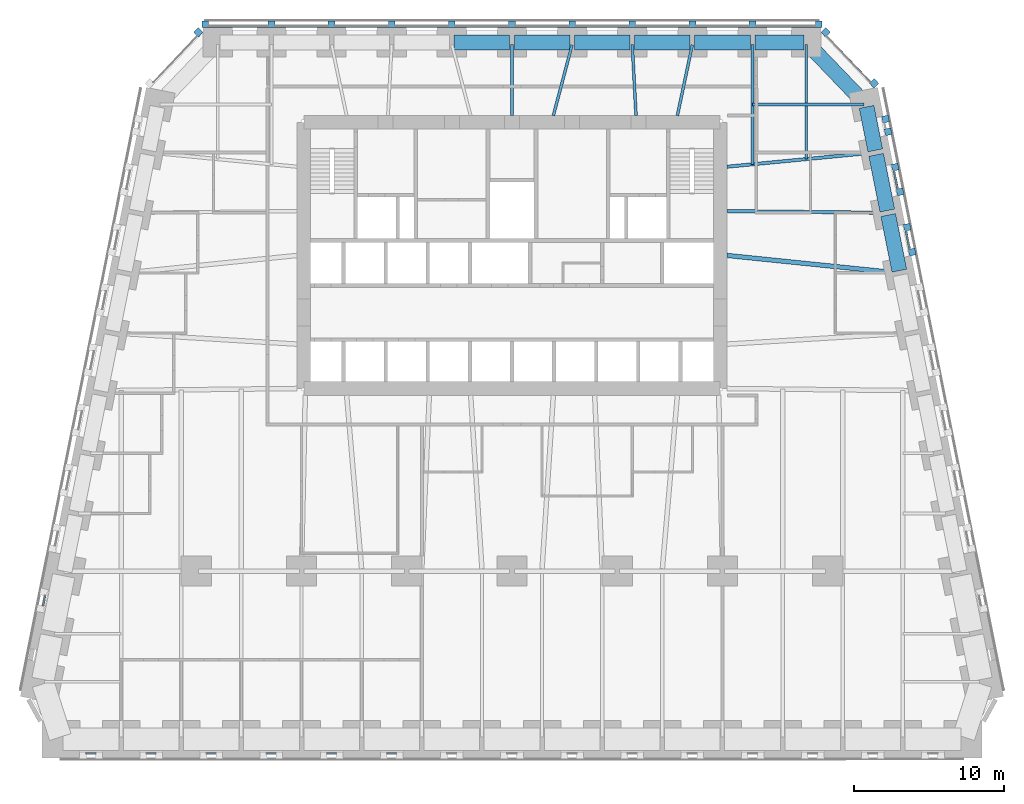
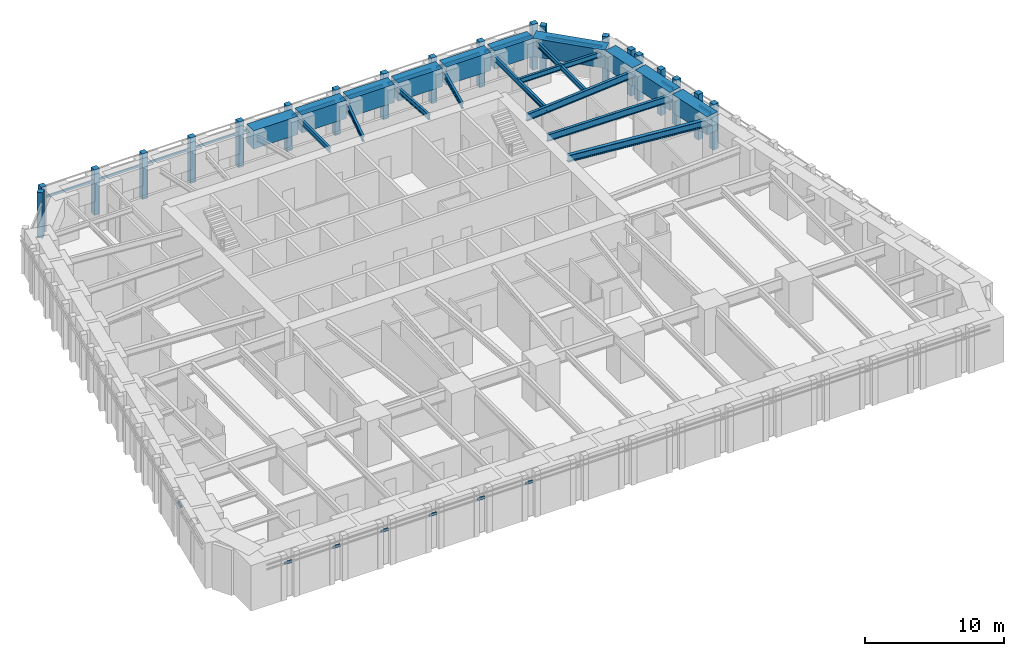
# One storey, part 4 of 16: 40 members, 20 beams, 13 elements without a shape of their own.
"""IFC4 building model written with IfcOpenShell, lengths in metres."""

import ifcopenshell
import ifcopenshell.guid

model = None  # the IFC model being written
_history = None  # IfcOwnerHistory: only IFC2X3 demands one
_inside = {}  # id of a spatial element -> (the spatial element, [elements in it])
_under = {}  # id of a project, library or spatial element -> (it, [spatial elements below it])
_declared = {}  # id of a project -> (the project, [libraries it declares])
_typed = {}  # id of a type object -> (the type object, [elements of that type])
_made_of = {}  # id of a material, layer set ... -> (it, [elements and type objects made of it])


def new_model(schema):
    """Start an empty IFC model of exactly this schema.

    Asked for "IFC4X3", IfcOpenShell would pick the latest addendum, in which some entities
    have other attributes; the version numbers below select the first issue.
    IFC2X3 requires an IfcOwnerHistory on every rooted entity: one is made here for all.
    """
    global model, _history
    if schema == "IFC4X3":
        model = ifcopenshell.file(schema_version=(4, 3, 0, 0))
    else:
        model = ifcopenshell.file(schema=schema)
    _inside.clear()
    _under.clear()
    _declared.clear()
    _typed.clear()
    _made_of.clear()
    _history = None
    if model.schema == "IFC2X3":
        org = make("IfcOrganization", Name="unknown")
        user = make(
            "IfcPersonAndOrganization",
            ThePerson=make("IfcPerson", FamilyName="unknown"),
            TheOrganization=org,
        )
        app = make(
            "IfcApplication",
            ApplicationDeveloper=org,
            Version="unknown",
            ApplicationFullName="unknown",
            ApplicationIdentifier="unknown",
        )
        _history = make(
            "IfcOwnerHistory",
            OwningUser=user,
            OwningApplication=app,
            ChangeAction="ADDED",
            CreationDate=0,
        )
    return model


def make(cls, **values):
    """One entity of the class cls with the attributes given. An attribute that is None is left unset."""
    return model.create_entity(
        cls, **{name: value for name, value in values.items() if value is not None}
    )


def rooted(cls, **values):
    """An entity with a GlobalId (a new one), such as an element, a storey or a relation."""
    return make(cls, GlobalId=ifcopenshell.guid.new(), OwnerHistory=_history, **values)


def si_unit(unit_type, name, prefix=None):
    """IfcSIUnit, for example si_unit("LENGTHUNIT", "METRE", prefix="MILLI")."""
    return make("IfcSIUnit", UnitType=unit_type, Prefix=prefix, Name=name)


def assignment(units):
    """IfcUnitAssignment: the units of a project."""
    return None if units is None else make("IfcUnitAssignment", Units=units)


def point(xyz):
    """IfcCartesianPoint."""
    return None if xyz is None else make("IfcCartesianPoint", Coordinates=xyz)


def direction(xyz):
    """IfcDirection."""
    return None if xyz is None else make("IfcDirection", DirectionRatios=xyz)


def frame(location, z_axis=None, x_axis=None):
    """IfcAxis2Placement3D, a coordinate frame: its origin and axes. An axis left out is left unset."""
    return make(
        "IfcAxis2Placement3D",
        Location=point(location),
        Axis=direction(z_axis),
        RefDirection=direction(x_axis),
    )


def frame_2d(location, x_axis=None):
    """IfcAxis2Placement2D, a coordinate frame in the plane: its origin and x axis."""
    return make(
        "IfcAxis2Placement2D", Location=point(location), RefDirection=direction(x_axis)
    )


def origin():
    """The frame at (0, 0, 0) with its axes left unset."""
    return frame((0.0, 0.0, 0.0))


def origin_2d():
    """The frame at (0, 0) in the plane with its x axis left unset."""
    return frame_2d((0.0, 0.0))


def place(relative_to, where):
    """IfcLocalPlacement: puts the frame where relative to a parent placement (None: the world)."""
    return make(
        "IfcLocalPlacement", PlacementRelTo=relative_to, RelativePlacement=where
    )


def context(
    kind, dimensions, precision=None, world=None, true_north=None, identifier=None
):
    """IfcGeometricRepresentationContext, for example the 3D "Model" context."""
    return make(
        "IfcGeometricRepresentationContext",
        ContextIdentifier=identifier,
        ContextType=kind,
        CoordinateSpaceDimension=dimensions,
        Precision=precision,
        WorldCoordinateSystem=world,
        TrueNorth=true_north,
    )


def subcontext(parent, identifier, kind, view, scale=None):
    """IfcGeometricRepresentationSubContext, for example "Body" below "Model"."""
    return make(
        "IfcGeometricRepresentationSubContext",
        ContextIdentifier=identifier,
        ContextType=kind,
        ParentContext=parent,
        TargetScale=scale,
        TargetView=view,
    )


def project(units=None, contexts=None):
    """IfcProject with its units and contexts."""
    return rooted(
        "IfcProject",
        Name="project",
        RepresentationContexts=contexts,
        UnitsInContext=assignment(units),
    )


def spatial(cls, under=None, at=None, **own):
    """A site, building, storey or space (cls), placed at a placement, below another one or the project."""
    s = rooted(cls, ObjectPlacement=at, **own)
    if under is not None:
        _under.setdefault(under.id(), (under, []))[1].append(s)
    return s


def profile(cls, at=None, kind="AREA", **sizes):
    """A parametric profile (cls). Its sizes go by their IFC names, for example OverallWidth=200.0."""
    return make(cls, ProfileType=kind, Position=at, **sizes)


def rectangle(**sizes):
    """IfcRectangleProfileDef."""
    return profile("IfcRectangleProfileDef", **sizes)


def i_section(**sizes):
    """IfcIShapeProfileDef."""
    return profile("IfcIShapeProfileDef", **sizes)


def extrude(swept, where, along, depth):
    """IfcExtrudedAreaSolid: the profile swept, set in the frame where, extruded along a direction by depth."""
    return make(
        "IfcExtrudedAreaSolid",
        SweptArea=swept,
        Position=where,
        ExtrudedDirection=direction(along),
        Depth=depth,
    )


def shape(context_of_items, identifier, shape_type, items):
    """IfcShapeRepresentation: the items that make up one representation, for example the "Body"."""
    return make(
        "IfcShapeRepresentation",
        ContextOfItems=context_of_items,
        RepresentationIdentifier=identifier,
        RepresentationType=shape_type,
        Items=items,
    )


def material(Name=None, Category=None):
    """IfcMaterial."""
    return make("IfcMaterial", Name=Name, Category=Category)


def material_profile(
    of_material, cross_section, Name=None, Category=None, Priority=None
):
    """IfcMaterialProfile: a cross section and its material."""
    return make(
        "IfcMaterialProfile",
        Name=Name,
        Material=of_material,
        Profile=cross_section,
        Priority=Priority,
        Category=Category,
    )


def profile_set(profiles, Name=None, composite=None):
    """IfcMaterialProfileSet."""
    return make(
        "IfcMaterialProfileSet",
        Name=Name,
        MaterialProfiles=profiles,
        CompositeProfile=composite,
    )


def made_of(thing, what):
    """Note that an element or type object is made of a material, layer set ...; save() writes the relation."""
    if what is not None:
        _made_of.setdefault(what.id(), (what, []))[1].append(thing)
    return thing


def type_object(cls, material=None, **own):
    """A type object (cls), such as IfcWallType, which elements share."""
    return made_of(rooted(cls, **own), material)


def element(
    cls,
    number,
    at=None,
    inside=None,
    cuts=None,
    type_object=None,
    material=None,
    context=None,
    identifier="Body",
    shape_type=None,
    held_by="IfcProductDefinitionShape",
    body=None,
    shapes=None,
    **own,
):
    """One element of the class cls, such as IfcWall. Its Tag is "e" and its number.

    at: its placement. inside: the storey or other place that contains it. cuts: it is an
    opening in that element (IfcRelVoidsElement). A single representation is given by context,
    identifier, shape_type and body (its items); several are given by shapes. held_by: the class
    of the entity that holds the representations. save() writes the other relations.
    """
    e = rooted(cls, Tag="e%d" % number, ObjectPlacement=at, **own)
    if body is not None:
        shapes = [shape(context, identifier, shape_type, body)]
    if shapes is not None:
        e.Representation = make(held_by, Representations=shapes)
    if inside is not None:
        _inside.setdefault(inside.id(), (inside, []))[1].append(e)
    if cuts is not None:
        rooted(
            "IfcRelVoidsElement", RelatingBuildingElement=cuts, RelatedOpeningElement=e
        )
    if type_object is not None:
        _typed.setdefault(type_object.id(), (type_object, []))[1].append(e)
    return made_of(e, material)


def aggregate(whole, parts):
    """IfcRelAggregates: a whole, such as a stair, and the parts it consists of."""
    return rooted("IfcRelAggregates", RelatingObject=whole, RelatedObjects=parts)


def save(model, path):
    """Write the relations noted so far, then the file.

    IfcRelAggregates (storeys below a building ...), IfcRelContainedInSpatialStructure (elements
    in a storey), IfcRelDefinesByType, IfcRelAssociatesMaterial and IfcRelDeclares: one each for
    every whole, place, type object, material and project.
    """
    for whole, parts in _under.values():
        aggregate(whole, parts)
    for where, things in _inside.values():
        rooted(
            "IfcRelContainedInSpatialStructure",
            RelatedElements=things,
            RelatingStructure=where,
        )
    for kind, things in _typed.values():
        rooted("IfcRelDefinesByType", RelatedObjects=things, RelatingType=kind)
    for what, things in _made_of.values():
        rooted("IfcRelAssociatesMaterial", RelatedObjects=things, RelatingMaterial=what)
    for by, libraries in _declared.values():
        rooted("IfcRelDeclares", RelatingContext=by, RelatedDefinitions=libraries)
    model.write(path)


model = new_model("IFC4")

# Units and contexts
model_context = context("Model", 3, precision=1e-05, world=origin(), true_north=direction((0.0, 1.0)))
body_context = subcontext(model_context, "Body", "Model", "MODEL_VIEW")
ifc_project = project(units=[si_unit("LENGTHUNIT", "METRE"), si_unit("AREAUNIT", "SQUARE_METRE"), si_unit("VOLUMEUNIT", "CUBIC_METRE"), si_unit("PLANEANGLEUNIT", "RADIAN"), si_unit("MASSUNIT", "GRAM", prefix="KILO")], contexts=[model_context])

# Site, building, storey
site_placement = place(None, origin())
site = spatial("IfcSite", under=ifc_project, at=site_placement, CompositionType="ELEMENT")
building_placement = place(site_placement, origin())
building = spatial("IfcBuilding", under=site, at=building_placement, Name="Isbrekke Arena Tower", CompositionType="ELEMENT")
storey_placement = place(building_placement, frame((0.0, 0.0, 52.0)))
storey = spatial("IfcBuildingStorey", under=building, at=storey_placement, Name="L10", CompositionType="ELEMENT", Elevation=52.0)

# Beams
ifc_material_1 = material(Name="Steel S355", Category="steel")
ifc_material_profile_1 = material_profile(ifc_material_1, i_section(OverallWidth=0.219970703125, OverallDepth=0.60009765625, WebThickness=0.011962890625, FlangeThickness=0.01904296875, FilletRadius=0.02392578125, at=origin_2d()), Name="IPE 600")
ifc_profile_set_1 = profile_set([ifc_material_profile_1], Name="Steel S355")
beam_type_1 = type_object("IfcBeamType", Name="B1 IPE 600", PredefinedType="BEAM", material=ifc_profile_set_1)
beam_1_placement = place(storey_placement, frame((24.83984375, 17.838134765625, 3.550048828125), z_axis=(-0.999943729589, 0.010608376645, 0.0), x_axis=(-0.010608376645, -0.999943729589, 0.0)))
element("IfcBeam", 1, at=beam_1_placement, inside=storey, type_object=beam_type_1, Name="B1 beam E-E09 L10", PredefinedType="BEAM", context=body_context, shape_type="SweptSolid", body=[
    extrude(i_section(OverallWidth=0.219970703125, OverallDepth=0.60009765625, WebThickness=0.011962890625, FlangeThickness=0.01904296875, FilletRadius=0.02392578125, at=origin_2d()), origin(), (0.0, 0.0, 1.0), 10.540283203125),
])
beam_2_placement = place(storey_placement, frame((24.030517578125, 21.837158203125, 3.550048828125), z_axis=(-0.995393091527, -0.095878012805, 0.0), x_axis=(0.095878012805, -0.995393091527, 0.0)))
element("IfcBeam", 2, at=beam_2_placement, inside=storey, type_object=beam_type_1, Name="B1 beam E-E10 L10", PredefinedType="BEAM", context=body_context, shape_type="SweptSolid", body=[
    extrude(i_section(OverallWidth=0.219970703125, OverallDepth=0.60009765625, WebThickness=0.011962890625, FlangeThickness=0.01904296875, FilletRadius=0.02392578125, at=origin_2d()), origin(), (0.0, 0.0, 1.0), 9.775390625),
])
ifc_material_2 = material(Name="Steel S355", Category="steel")
ifc_material_profile_2 = material_profile(ifc_material_2, i_section(OverallWidth=0.18994140625, OverallDepth=0.449951171875, WebThickness=0.009521484375, FlangeThickness=0.0146484375, FilletRadius=0.02099609375, at=origin_2d()), Name="IPE 450")
ifc_profile_set_2 = profile_set([ifc_material_profile_2], Name="Steel S355")
beam_type_2 = type_object("IfcBeamType", Name="B2 IPE 450", PredefinedType="BEAM", material=ifc_profile_set_2)
beam_3_placement = place(storey_placement, frame((23.40283203125, 25.029296875, 3.625), z_axis=(-1.0, 0.0, 0.0), x_axis=(0.0, -1.0, 0.0)))
element("IfcBeam", 3, at=beam_3_placement, inside=storey, type_object=beam_type_2, Name="B2 beam E-E11 L10", PredefinedType="BEAM", context=body_context, shape_type="SweptSolid", body=[
    extrude(i_section(OverallWidth=0.18994140625, OverallDepth=0.449951171875, WebThickness=0.009521484375, FlangeThickness=0.0146484375, FilletRadius=0.02099609375, at=origin_2d()), origin(), (0.0, 0.0, 1.0), 7.40283203125),
])
ifc_material_3 = material(Name="Steel S355", Category="steel")
ifc_material_profile_3 = material_profile(ifc_material_3, i_section(OverallWidth=0.18994140625, OverallDepth=0.449951171875, WebThickness=0.009521484375, FlangeThickness=0.0146484375, FilletRadius=0.02099609375, at=origin_2d()), Name="IPE 450")
ifc_profile_set_3 = profile_set([ifc_material_profile_3], Name="Steel S355")
beam_type_3 = type_object("IfcBeamType", Name="B3 IPE 450", PredefinedType="BEAM", material=ifc_profile_set_3)
beam_4_placement = place(storey_placement, frame((19.574951171875, 29.02490234375, 3.625), z_axis=(0.0, -1.0, 0.0), x_axis=(1.0, 0.0, 0.0)))
element("IfcBeam", 4, at=beam_4_placement, inside=storey, type_object=beam_type_3, Name="B3 beam N-N01 L10", PredefinedType="BEAM", context=body_context, shape_type="SweptSolid", body=[
    extrude(i_section(OverallWidth=0.18994140625, OverallDepth=0.449951171875, WebThickness=0.009521484375, FlangeThickness=0.0146484375, FilletRadius=0.02099609375, at=origin_2d()), origin(), (0.0, 0.0, 1.0), 7.616943359375),
])
beam_5_placement = place(storey_placement, frame((16.0, 29.02490234375, 3.625), z_axis=(0.0, -1.0, 0.0), x_axis=(1.0, 0.0, 0.0)))
element("IfcBeam", 5, at=beam_5_placement, inside=storey, type_object=beam_type_3, Name="B3 beam N-N02 L10", PredefinedType="BEAM", context=body_context, shape_type="SweptSolid", body=[
    extrude(i_section(OverallWidth=0.18994140625, OverallDepth=0.449951171875, WebThickness=0.009521484375, FlangeThickness=0.0146484375, FilletRadius=0.02099609375, at=origin_2d()), origin(), (0.0, 0.0, 1.0), 7.961181640625),
])
beam_6_placement = place(storey_placement, frame((11.995849609375, 29.005859375, 3.625), z_axis=(-0.207036135686, -0.978333296234, 0.0), x_axis=(0.978333296234, -0.207036135686, 0.0)))
element("IfcBeam", 6, at=beam_6_placement, inside=storey, type_object=beam_type_3, Name="B3 beam N-N03 L10", PredefinedType="BEAM", context=body_context, shape_type="SweptSolid", body=[
    extrude(i_section(OverallWidth=0.18994140625, OverallDepth=0.449951171875, WebThickness=0.009521484375, FlangeThickness=0.0146484375, FilletRadius=0.02099609375, at=origin_2d()), origin(), (0.0, 0.0, 1.0), 4.81005859375),
])
beam_7_placement = place(storey_placement, frame((8.000244140625, 29.02001953125, 3.625), z_axis=(0.05284078094, -0.998602950061, 0.0), x_axis=(0.998602950061, 0.05284078094, 0.0)))
element("IfcBeam", 7, at=beam_7_placement, inside=storey, type_object=beam_type_3, Name="B3 beam N-N04 L10", PredefinedType="BEAM", context=body_context, shape_type="SweptSolid", body=[
    extrude(i_section(OverallWidth=0.18994140625, OverallDepth=0.449951171875, WebThickness=0.009521484375, FlangeThickness=0.0146484375, FilletRadius=0.02099609375, at=origin_2d()), origin(), (0.0, 0.0, 1.0), 4.7265625),
])
beam_8_placement = place(storey_placement, frame((3.993896484375, 29.00146484375, 3.625), z_axis=(-0.255778031922, -0.966735536942, 0.0), x_axis=(0.966735536942, -0.255778031922, 0.0)))
element("IfcBeam", 8, at=beam_8_placement, inside=storey, type_object=beam_type_3, Name="B3 beam N-N05 L10", PredefinedType="BEAM", context=body_context, shape_type="SweptSolid", body=[
    extrude(i_section(OverallWidth=0.18994140625, OverallDepth=0.449951171875, WebThickness=0.009521484375, FlangeThickness=0.0146484375, FilletRadius=0.02099609375, at=origin_2d()), origin(), (0.0, 0.0, 1.0), 4.86328125),
])
beam_9_placement = place(storey_placement, frame((0.0, 29.02490234375, 3.625), z_axis=(0.0, -1.0, 0.0), x_axis=(1.0, 0.0, 0.0)))
element("IfcBeam", 9, at=beam_9_placement, inside=storey, type_object=beam_type_3, Name="B3 beam N-N06 L10", PredefinedType="BEAM", context=body_context, shape_type="SweptSolid", body=[
    extrude(i_section(OverallWidth=0.18994140625, OverallDepth=0.449951171875, WebThickness=0.009521484375, FlangeThickness=0.0146484375, FilletRadius=0.02099609375, at=origin_2d()), origin(), (0.0, 0.0, 1.0), 4.724853515625),
])
ifc_material_4 = material(Name="Steel S355", Category="steel")
ifc_material_profile_4 = material_profile(ifc_material_4, i_section(OverallWidth=0.300048828125, OverallDepth=0.60009765625, WebThickness=0.015380859375, FlangeThickness=0.030029296875, FilletRadius=0.027099609375, at=origin_2d()), Name="HEB 600")
ifc_profile_set_4 = profile_set([ifc_material_profile_4], Name="Steel S355")
beam_type_4 = type_object("IfcBeamType", Name="B7 HEB 600", PredefinedType="BEAM", material=ifc_profile_set_4)
beam_10_placement = place(storey_placement, frame((25.625732421875, 13.83984375, 3.550048828125), z_axis=(-0.994794378016, 0.101902627384, 0.0), x_axis=(-0.101902627384, -0.994794378016, 0.0)))
element("IfcBeam", 10, at=beam_10_placement, inside=storey, type_object=beam_type_4, Name="B7 beam E-E08 L10", PredefinedType="BEAM", context=body_context, shape_type="SweptSolid", body=[
    extrude(i_section(OverallWidth=0.300048828125, OverallDepth=0.60009765625, WebThickness=0.015380859375, FlangeThickness=0.030029296875, FilletRadius=0.027099609375, at=origin_2d()), origin(), (0.0, 0.0, 1.0), 11.385009765625),
])

# Curtain wall, members
ifc_material_5 = material(Name="Glazed aluminium curtain wall", Category="aluminium")
curtain_wall_type = type_object("IfcCurtainWallType", Name="CWL TOWER CURTAIN WALL LOW ZONE", PredefinedType="USERDEFINED", material=ifc_material_5)
curtain_wall_1_placement = place(storey_placement, origin())
curtain_wall_1 = element("IfcCurtainWall", 11, at=curtain_wall_1_placement, inside=storey, type_object=curtain_wall_type, Name="CWL curtain wall L10-E15", ObjectType="TOWER CURTAIN WALL LOW ZONE", PredefinedType="USERDEFINED")
ifc_material_6 = material(Name="Aluminium mullion, pale brick slip cladding", Category="masonry")
ifc_material_profile_5 = material_profile(ifc_material_6, rectangle(XDim=0.449951171875, YDim=0.449951171875, at=origin_2d()), Name="PIER 450X450")
ifc_profile_set_5 = profile_set([ifc_material_profile_5], Name="Aluminium mullion, pale brick slip cladding")
member_type_1 = type_object("IfcMemberType", Name="CWL-M PIER MULLION 450 x 450", PredefinedType="MULLION", material=ifc_profile_set_5)
member_1_placement = place(storey_placement, frame((26.60986328125, 15.225830078125, 0.0), z_axis=(0.0, 0.0, 1.0), x_axis=(-0.196116135138, 0.980580675691, 0.0)))
member_1 = element("IfcMember", 12, at=member_1_placement, type_object=member_type_1, Name="CWL-M mullion 1", PredefinedType="MULLION", context=body_context, shape_type="SweptSolid", body=[
    extrude(rectangle(XDim=0.449951171875, YDim=0.449951171875, at=origin_2d()), origin(), (0.0, 0.0, 1.0), 4.0),
])
member_2_placement = place(storey_placement, frame((26.280517578125, 16.872314453125, 0.0), z_axis=(0.0, 0.0, 1.0), x_axis=(-0.196116135138, 0.980580675691, 0.0)))
member_2 = element("IfcMember", 13, at=member_2_placement, type_object=member_type_1, Name="CWL-M mullion 2", PredefinedType="MULLION", context=body_context, shape_type="SweptSolid", body=[
    extrude(rectangle(XDim=0.449951171875, YDim=0.449951171875, at=origin_2d()), origin(), (0.0, 0.0, 1.0), 4.0),
])

curtain_wall_2_placement = place(storey_placement, origin())
curtain_wall_2 = element("IfcCurtainWall", 14, at=curtain_wall_2_placement, inside=storey, type_object=curtain_wall_type, Name="CWL curtain wall L10-E17", ObjectType="TOWER CURTAIN WALL LOW ZONE", PredefinedType="USERDEFINED")
member_3_placement = place(storey_placement, frame((25.809814453125, 19.225830078125, 0.0), z_axis=(0.0, 0.0, 1.0), x_axis=(-0.196116135138, 0.980580675691, 0.0)))
member_3 = element("IfcMember", 15, at=member_3_placement, type_object=member_type_1, Name="CWL-M mullion 1", PredefinedType="MULLION", context=body_context, shape_type="SweptSolid", body=[
    extrude(rectangle(XDim=0.449951171875, YDim=0.449951171875, at=origin_2d()), origin(), (0.0, 0.0, 1.0), 4.0),
])
member_4_placement = place(storey_placement, frame((25.48046875, 20.872314453125, 0.0), z_axis=(0.0, 0.0, 1.0), x_axis=(-0.196116135138, 0.980580675691, 0.0)))
member_4 = element("IfcMember", 16, at=member_4_placement, type_object=member_type_1, Name="CWL-M mullion 2", PredefinedType="MULLION", context=body_context, shape_type="SweptSolid", body=[
    extrude(rectangle(XDim=0.449951171875, YDim=0.449951171875, at=origin_2d()), origin(), (0.0, 0.0, 1.0), 4.0),
])

curtain_wall_3_placement = place(storey_placement, origin())
curtain_wall_3 = element("IfcCurtainWall", 17, at=curtain_wall_3_placement, inside=storey, type_object=curtain_wall_type, Name="CWL curtain wall L10-E19", ObjectType="TOWER CURTAIN WALL LOW ZONE", PredefinedType="USERDEFINED")
member_5_placement = place(storey_placement, frame((25.009765625, 23.225830078125, 0.0), z_axis=(0.0, 0.0, 1.0), x_axis=(-0.196116135138, 0.980580675691, 0.0)))
member_5 = element("IfcMember", 18, at=member_5_placement, type_object=member_type_1, Name="CWL-M mullion 1", PredefinedType="MULLION", context=body_context, shape_type="SweptSolid", body=[
    extrude(rectangle(XDim=0.449951171875, YDim=0.449951171875, at=origin_2d()), origin(), (0.0, 0.0, 1.0), 4.0),
])
member_6_placement = place(storey_placement, frame((24.841796875, 24.065185546875, 0.0), z_axis=(0.0, 0.0, 1.0), x_axis=(-0.196116135138, 0.980580675691, 0.0)))
member_6 = element("IfcMember", 19, at=member_6_placement, type_object=member_type_1, Name="CWL-M mullion 2", PredefinedType="MULLION", context=body_context, shape_type="SweptSolid", body=[
    extrude(rectangle(XDim=0.449951171875, YDim=0.449951171875, at=origin_2d()), origin(), (0.0, 0.0, 1.0), 4.0),
])
aggregate(curtain_wall_3, [member_5, member_6])

curtain_wall_4_placement = place(storey_placement, origin())
curtain_wall_4 = element("IfcCurtainWall", 20, at=curtain_wall_4_placement, inside=storey, type_object=curtain_wall_type, Name="CWL curtain wall L10-EN", ObjectType="TOWER CURTAIN WALL LOW ZONE", PredefinedType="USERDEFINED")
member_7_placement = place(storey_placement, frame((24.08837890625, 26.444091796875, 0.0), z_axis=(0.0, 0.0, 1.0), x_axis=(-0.68874946192, 0.72499943359, 0.0)))
member_7 = element("IfcMember", 21, at=member_7_placement, type_object=member_type_1, Name="CWL-M mullion 1", PredefinedType="MULLION", context=body_context, shape_type="SweptSolid", body=[
    extrude(rectangle(XDim=0.449951171875, YDim=0.449951171875, at=origin_2d()), origin(), (0.0, 0.0, 1.0), 4.0),
])
member_8_placement = place(storey_placement, frame((20.86572265625, 29.83642578125, 0.0), z_axis=(0.0, 0.0, 1.0), x_axis=(-0.68874946192, 0.72499943359, 0.0)))
member_8 = element("IfcMember", 22, at=member_8_placement, type_object=member_type_1, Name="CWL-M mullion 2", PredefinedType="MULLION", context=body_context, shape_type="SweptSolid", body=[
    extrude(rectangle(XDim=0.449951171875, YDim=0.449951171875, at=origin_2d()), origin(), (0.0, 0.0, 1.0), 4.0),
])

curtain_wall_5_placement = place(storey_placement, origin())
curtain_wall_5 = element("IfcCurtainWall", 23, at=curtain_wall_5_placement, inside=storey, type_object=curtain_wall_type, Name="CWL curtain wall L10-N", ObjectType="TOWER CURTAIN WALL LOW ZONE", PredefinedType="USERDEFINED")
member_9_placement = place(storey_placement, frame((20.39990234375, 30.375, 0.0), z_axis=(0.0, 0.0, 1.0), x_axis=(-1.0, 0.0, 0.0)))
member_9 = element("IfcMember", 24, at=member_9_placement, type_object=member_type_1, Name="CWL-M mullion 1", PredefinedType="MULLION", context=body_context, shape_type="SweptSolid", body=[
    extrude(rectangle(XDim=0.449951171875, YDim=0.449951171875, at=origin_2d()), origin(), (0.0, 0.0, 1.0), 4.0),
])
member_10_placement = place(storey_placement, frame((16.0, 30.375, 0.0), z_axis=(0.0, 0.0, 1.0), x_axis=(-1.0, 0.0, 0.0)))
member_10 = element("IfcMember", 25, at=member_10_placement, type_object=member_type_1, Name="CWL-M mullion 2", PredefinedType="MULLION", context=body_context, shape_type="SweptSolid", body=[
    extrude(rectangle(XDim=0.449951171875, YDim=0.449951171875, at=origin_2d()), origin(), (0.0, 0.0, 1.0), 4.0),
])
member_11_placement = place(storey_placement, frame((12.0, 30.375, 0.0), z_axis=(0.0, 0.0, 1.0), x_axis=(-1.0, 0.0, 0.0)))
member_11 = element("IfcMember", 26, at=member_11_placement, type_object=member_type_1, Name="CWL-M mullion 3", PredefinedType="MULLION", context=body_context, shape_type="SweptSolid", body=[
    extrude(rectangle(XDim=0.449951171875, YDim=0.449951171875, at=origin_2d()), origin(), (0.0, 0.0, 1.0), 4.0),
])
member_12_placement = place(storey_placement, frame((8.0, 30.375, 0.0), z_axis=(0.0, 0.0, 1.0), x_axis=(-1.0, 0.0, 0.0)))
member_12 = element("IfcMember", 27, at=member_12_placement, type_object=member_type_1, Name="CWL-M mullion 4", PredefinedType="MULLION", context=body_context, shape_type="SweptSolid", body=[
    extrude(rectangle(XDim=0.449951171875, YDim=0.449951171875, at=origin_2d()), origin(), (0.0, 0.0, 1.0), 4.0),
])
member_13_placement = place(storey_placement, frame((4.0, 30.375, 0.0), z_axis=(0.0, 0.0, 1.0), x_axis=(-1.0, 0.0, 0.0)))
member_13 = element("IfcMember", 28, at=member_13_placement, type_object=member_type_1, Name="CWL-M mullion 5", PredefinedType="MULLION", context=body_context, shape_type="SweptSolid", body=[
    extrude(rectangle(XDim=0.449951171875, YDim=0.449951171875, at=origin_2d()), origin(), (0.0, 0.0, 1.0), 4.0),
])
member_14_placement = place(storey_placement, frame((0.0, 30.375, 0.0), z_axis=(0.0, 0.0, 1.0), x_axis=(-1.0, 0.0, 0.0)))
member_14 = element("IfcMember", 29, at=member_14_placement, type_object=member_type_1, Name="CWL-M mullion 6", PredefinedType="MULLION", context=body_context, shape_type="SweptSolid", body=[
    extrude(rectangle(XDim=0.449951171875, YDim=0.449951171875, at=origin_2d()), origin(), (0.0, 0.0, 1.0), 4.0),
])
member_15_placement = place(storey_placement, frame((-4.0, 30.375, 0.0), z_axis=(0.0, 0.0, 1.0), x_axis=(-1.0, 0.0, 0.0)))
member_15 = element("IfcMember", 30, at=member_15_placement, type_object=member_type_1, Name="CWL-M mullion 7", PredefinedType="MULLION", context=body_context, shape_type="SweptSolid", body=[
    extrude(rectangle(XDim=0.449951171875, YDim=0.449951171875, at=origin_2d()), origin(), (0.0, 0.0, 1.0), 4.0),
])
member_16_placement = place(storey_placement, frame((-8.0, 30.375, 0.0), z_axis=(0.0, 0.0, 1.0), x_axis=(-1.0, 0.0, 0.0)))
member_16 = element("IfcMember", 31, at=member_16_placement, type_object=member_type_1, Name="CWL-M mullion 8", PredefinedType="MULLION", context=body_context, shape_type="SweptSolid", body=[
    extrude(rectangle(XDim=0.449951171875, YDim=0.449951171875, at=origin_2d()), origin(), (0.0, 0.0, 1.0), 4.0),
])
member_17_placement = place(storey_placement, frame((-12.0, 30.375, 0.0), z_axis=(0.0, 0.0, 1.0), x_axis=(-1.0, 0.0, 0.0)))
member_17 = element("IfcMember", 32, at=member_17_placement, type_object=member_type_1, Name="CWL-M mullion 9", PredefinedType="MULLION", context=body_context, shape_type="SweptSolid", body=[
    extrude(rectangle(XDim=0.449951171875, YDim=0.449951171875, at=origin_2d()), origin(), (0.0, 0.0, 1.0), 4.0),
])
member_18_placement = place(storey_placement, frame((-16.0, 30.375, 0.0), z_axis=(0.0, 0.0, 1.0), x_axis=(-1.0, 0.0, 0.0)))
member_18 = element("IfcMember", 33, at=member_18_placement, type_object=member_type_1, Name="CWL-M mullion 10", PredefinedType="MULLION", context=body_context, shape_type="SweptSolid", body=[
    extrude(rectangle(XDim=0.449951171875, YDim=0.449951171875, at=origin_2d()), origin(), (0.0, 0.0, 1.0), 4.0),
])
member_19_placement = place(storey_placement, frame((-20.39990234375, 30.375, 0.0), z_axis=(0.0, 0.0, 1.0), x_axis=(-1.0, 0.0, 0.0)))
member_19 = element("IfcMember", 34, at=member_19_placement, type_object=member_type_1, Name="CWL-M mullion 11", PredefinedType="MULLION", context=body_context, shape_type="SweptSolid", body=[
    extrude(rectangle(XDim=0.449951171875, YDim=0.449951171875, at=origin_2d()), origin(), (0.0, 0.0, 1.0), 4.0),
])

# Curtain wall, member
curtain_wall_6_placement = place(storey_placement, origin())
curtain_wall_6 = element("IfcCurtainWall", 35, at=curtain_wall_6_placement, inside=storey, type_object=curtain_wall_type, Name="CWL curtain wall L10-NW", ObjectType="TOWER CURTAIN WALL LOW ZONE", PredefinedType="USERDEFINED")
member_20_placement = place(storey_placement, frame((-20.86572265625, 29.83642578125, 0.0), z_axis=(0.0, 0.0, 1.0), x_axis=(-0.68874946192, -0.72499943359, 0.0)))
member_20 = element("IfcMember", 36, at=member_20_placement, type_object=member_type_1, Name="CWL-M mullion 1", PredefinedType="MULLION", context=body_context, shape_type="SweptSolid", body=[
    extrude(rectangle(XDim=0.449951171875, YDim=0.449951171875, at=origin_2d()), origin(), (0.0, 0.0, 1.0), 4.0),
])
aggregate(curtain_wall_6, [member_20])

curtain_wall_7_placement = place(storey_placement, origin())
curtain_wall_7 = element("IfcCurtainWall", 37, at=curtain_wall_7_placement, inside=storey, type_object=curtain_wall_type, Name="CWL curtain wall L10-S", ObjectType="TOWER CURTAIN WALL LOW ZONE", PredefinedType="USERDEFINED")
ifc_material_7 = material(Name="Aluminium transom", Category="aluminium")
ifc_material_profile_6 = material_profile(ifc_material_7, rectangle(XDim=0.1201171875, YDim=0.199951171875, at=origin_2d()), Name="TRANSOM 120X200")
ifc_profile_set_6 = profile_set([ifc_material_profile_6], Name="Aluminium transom")
member_type_2 = type_object("IfcMemberType", Name="CWL-T TRANSOM 120 x 200", PredefinedType="USERDEFINED", material=ifc_profile_set_6)
member_21_placement = place(storey_placement, frame((-28.302001953125, -18.125, 3.0), z_axis=(1.0, 0.0, 0.0), x_axis=(0.0, 1.0, 0.0)))
member_21 = element("IfcMember", 38, at=member_21_placement, type_object=member_type_2, Name="CWL-T transom 1", ObjectType="TRANSOM", PredefinedType="USERDEFINED", context=body_context, shape_type="SweptSolid", body=[
    extrude(rectangle(XDim=0.1201171875, YDim=0.199951171875, at=origin_2d()), origin(), (0.0, 0.0, 1.0), 0.60205078125),
])
aggregate(curtain_wall_7, [member_21])

curtain_wall_8_placement = place(storey_placement, origin())
curtain_wall_8 = element("IfcCurtainWall", 39, at=curtain_wall_8_placement, inside=storey, type_object=curtain_wall_type, Name="CWL curtain wall L10-S3", ObjectType="TOWER CURTAIN WALL LOW ZONE", PredefinedType="USERDEFINED")
member_22_placement = place(storey_placement, frame((-24.300048828125, -18.125, 3.0), z_axis=(1.0, 0.0, 0.0), x_axis=(0.0, 1.0, 0.0)))
member_22 = element("IfcMember", 40, at=member_22_placement, type_object=member_type_2, Name="CWL-T transom 1", ObjectType="TRANSOM", PredefinedType="USERDEFINED", context=body_context, shape_type="SweptSolid", body=[
    extrude(rectangle(XDim=0.1201171875, YDim=0.199951171875, at=origin_2d()), origin(), (0.0, 0.0, 1.0), 0.60009765625),
])
aggregate(curtain_wall_8, [member_22])

curtain_wall_9_placement = place(storey_placement, origin())
curtain_wall_9 = element("IfcCurtainWall", 41, at=curtain_wall_9_placement, inside=storey, type_object=curtain_wall_type, Name="CWL curtain wall L10-S5", ObjectType="TOWER CURTAIN WALL LOW ZONE", PredefinedType="USERDEFINED")
member_23_placement = place(storey_placement, frame((-20.300048828125, -18.125, 3.0), z_axis=(1.0, 0.0, 0.0), x_axis=(0.0, 1.0, 0.0)))
member_23 = element("IfcMember", 42, at=member_23_placement, type_object=member_type_2, Name="CWL-T transom 1", ObjectType="TRANSOM", PredefinedType="USERDEFINED", context=body_context, shape_type="SweptSolid", body=[
    extrude(rectangle(XDim=0.1201171875, YDim=0.199951171875, at=origin_2d()), origin(), (0.0, 0.0, 1.0), 0.60009765625),
])
aggregate(curtain_wall_9, [member_23])

curtain_wall_10_placement = place(storey_placement, origin())
curtain_wall_10 = element("IfcCurtainWall", 43, at=curtain_wall_10_placement, inside=storey, type_object=curtain_wall_type, Name="CWL curtain wall L10-S7", ObjectType="TOWER CURTAIN WALL LOW ZONE", PredefinedType="USERDEFINED")
member_24_placement = place(storey_placement, frame((-16.300048828125, -18.125, 3.0), z_axis=(1.0, 0.0, 0.0), x_axis=(0.0, 1.0, 0.0)))
member_24 = element("IfcMember", 44, at=member_24_placement, type_object=member_type_2, Name="CWL-T transom 1", ObjectType="TRANSOM", PredefinedType="USERDEFINED", context=body_context, shape_type="SweptSolid", body=[
    extrude(rectangle(XDim=0.1201171875, YDim=0.199951171875, at=origin_2d()), origin(), (0.0, 0.0, 1.0), 0.60009765625),
])
aggregate(curtain_wall_10, [member_24])

curtain_wall_11_placement = place(storey_placement, origin())
curtain_wall_11 = element("IfcCurtainWall", 45, at=curtain_wall_11_placement, inside=storey, type_object=curtain_wall_type, Name="CWL curtain wall L10-S9", ObjectType="TOWER CURTAIN WALL LOW ZONE", PredefinedType="USERDEFINED")
member_25_placement = place(storey_placement, frame((-12.300048828125, -18.125, 3.0), z_axis=(1.0, 0.0, 0.0), x_axis=(0.0, 1.0, 0.0)))
member_25 = element("IfcMember", 46, at=member_25_placement, type_object=member_type_2, Name="CWL-T transom 1", ObjectType="TRANSOM", PredefinedType="USERDEFINED", context=body_context, shape_type="SweptSolid", body=[
    extrude(rectangle(XDim=0.1201171875, YDim=0.199951171875, at=origin_2d()), origin(), (0.0, 0.0, 1.0), 0.60009765625),
])
aggregate(curtain_wall_11, [member_25])

curtain_wall_12_placement = place(storey_placement, origin())
curtain_wall_12 = element("IfcCurtainWall", 47, at=curtain_wall_12_placement, inside=storey, type_object=curtain_wall_type, Name="CWL curtain wall L10-S11", ObjectType="TOWER CURTAIN WALL LOW ZONE", PredefinedType="USERDEFINED")
member_26_placement = place(storey_placement, frame((-8.300048828125, -18.125, 3.0), z_axis=(1.0, 0.0, 0.0), x_axis=(0.0, 1.0, 0.0)))
member_26 = element("IfcMember", 48, at=member_26_placement, type_object=member_type_2, Name="CWL-T transom 1", ObjectType="TRANSOM", PredefinedType="USERDEFINED", context=body_context, shape_type="SweptSolid", body=[
    extrude(rectangle(XDim=0.1201171875, YDim=0.199951171875, at=origin_2d()), origin(), (0.0, 0.0, 1.0), 0.60009765625),
])
aggregate(curtain_wall_12, [member_26])

# Member
member_27_placement = place(storey_placement, frame((26.443115234375, 15.421875, 3.0), z_axis=(-0.196039741533, 0.980595951317, 0.0), x_axis=(-0.980595951317, -0.196039741533, 0.0)))
member_27 = element("IfcMember", 49, at=member_27_placement, type_object=member_type_2, Name="CWL-T transom 1", ObjectType="TRANSOM", PredefinedType="USERDEFINED", context=body_context, shape_type="SweptSolid", body=[
    extrude(rectangle(XDim=0.1201171875, YDim=0.199951171875, at=origin_2d()), origin(), (0.0, 0.0, 1.0), 1.229248046875),
])

aggregate(curtain_wall_1, [member_1, member_2, member_27])

member_28_placement = place(storey_placement, frame((25.64306640625, 19.421875, 3.0), z_axis=(-0.196039741533, 0.980595951317, 0.0), x_axis=(-0.980595951317, -0.196039741533, 0.0)))
member_28 = element("IfcMember", 50, at=member_28_placement, type_object=member_type_2, Name="CWL-T transom 1", ObjectType="TRANSOM", PredefinedType="USERDEFINED", context=body_context, shape_type="SweptSolid", body=[
    extrude(rectangle(XDim=0.1201171875, YDim=0.199951171875, at=origin_2d()), origin(), (0.0, 0.0, 1.0), 1.229248046875),
])

aggregate(curtain_wall_2, [member_3, member_4, member_28])

member_29_placement = place(storey_placement, frame((23.8427734375, 26.521240234375, 3.0), z_axis=(-0.688776771287, 0.724973488712, 0.0), x_axis=(-0.724973488712, -0.688776771287, 0.0)))
member_29 = element("IfcMember", 51, at=member_29_placement, type_object=member_type_2, Name="CWL-T transom 1", ObjectType="TRANSOM", PredefinedType="USERDEFINED", context=body_context, shape_type="SweptSolid", body=[
    extrude(rectangle(XDim=0.1201171875, YDim=0.199951171875, at=origin_2d()), origin(), (0.0, 0.0, 1.0), 4.22900390625),
])

aggregate(curtain_wall_4, [member_7, member_8, member_29])

member_30_placement = place(storey_placement, frame((20.175048828125, 30.25, 3.0), z_axis=(-1.0, 0.0, 0.0), x_axis=(0.0, -1.0, 0.0)))
member_30 = element("IfcMember", 52, at=member_30_placement, type_object=member_type_2, Name="CWL-T transom 1", ObjectType="TRANSOM", PredefinedType="USERDEFINED", context=body_context, shape_type="SweptSolid", body=[
    extrude(rectangle(XDim=0.1201171875, YDim=0.199951171875, at=origin_2d()), origin(), (0.0, 0.0, 1.0), 3.949951171875),
])

member_31_placement = place(storey_placement, frame((15.77490234375, 30.25, 3.0), z_axis=(-1.0, 0.0, 0.0), x_axis=(0.0, -1.0, 0.0)))
member_31 = element("IfcMember", 53, at=member_31_placement, type_object=member_type_2, Name="CWL-T transom 2", ObjectType="TRANSOM", PredefinedType="USERDEFINED", context=body_context, shape_type="SweptSolid", body=[
    extrude(rectangle(XDim=0.1201171875, YDim=0.199951171875, at=origin_2d()), origin(), (0.0, 0.0, 1.0), 3.5498046875),
])

member_32_placement = place(storey_placement, frame((11.77490234375, 30.25, 3.0), z_axis=(-1.0, 0.0, 0.0), x_axis=(0.0, -1.0, 0.0)))
member_32 = element("IfcMember", 54, at=member_32_placement, type_object=member_type_2, Name="CWL-T transom 3", ObjectType="TRANSOM", PredefinedType="USERDEFINED", context=body_context, shape_type="SweptSolid", body=[
    extrude(rectangle(XDim=0.1201171875, YDim=0.199951171875, at=origin_2d()), origin(), (0.0, 0.0, 1.0), 3.5498046875),
])

member_33_placement = place(storey_placement, frame((7.77490234375, 30.25, 3.0), z_axis=(-1.0, 0.0, 0.0), x_axis=(0.0, -1.0, 0.0)))
member_33 = element("IfcMember", 55, at=member_33_placement, type_object=member_type_2, Name="CWL-T transom 4", ObjectType="TRANSOM", PredefinedType="USERDEFINED", context=body_context, shape_type="SweptSolid", body=[
    extrude(rectangle(XDim=0.1201171875, YDim=0.199951171875, at=origin_2d()), origin(), (0.0, 0.0, 1.0), 3.5498046875),
])

member_34_placement = place(storey_placement, frame((3.77490234375, 30.25, 3.0), z_axis=(-1.0, 0.0, 0.0), x_axis=(0.0, -1.0, 0.0)))
member_34 = element("IfcMember", 56, at=member_34_placement, type_object=member_type_2, Name="CWL-T transom 5", ObjectType="TRANSOM", PredefinedType="USERDEFINED", context=body_context, shape_type="SweptSolid", body=[
    extrude(rectangle(XDim=0.1201171875, YDim=0.199951171875, at=origin_2d()), origin(), (0.0, 0.0, 1.0), 3.5498046875),
])

member_35_placement = place(storey_placement, frame((-0.22509765625, 30.25, 3.0), z_axis=(-1.0, 0.0, 0.0), x_axis=(0.0, -1.0, 0.0)))
member_35 = element("IfcMember", 57, at=member_35_placement, type_object=member_type_2, Name="CWL-T transom 6", ObjectType="TRANSOM", PredefinedType="USERDEFINED", context=body_context, shape_type="SweptSolid", body=[
    extrude(rectangle(XDim=0.1201171875, YDim=0.199951171875, at=origin_2d()), origin(), (0.0, 0.0, 1.0), 3.5498046875),
])

member_36_placement = place(storey_placement, frame((-4.22509765625, 30.25, 3.0), z_axis=(-1.0, 0.0, 0.0), x_axis=(0.0, -1.0, 0.0)))
member_36 = element("IfcMember", 58, at=member_36_placement, type_object=member_type_2, Name="CWL-T transom 7", ObjectType="TRANSOM", PredefinedType="USERDEFINED", context=body_context, shape_type="SweptSolid", body=[
    extrude(rectangle(XDim=0.1201171875, YDim=0.199951171875, at=origin_2d()), origin(), (0.0, 0.0, 1.0), 3.5498046875),
])

member_37_placement = place(storey_placement, frame((-8.22509765625, 30.25, 3.0), z_axis=(-1.0, 0.0, 0.0), x_axis=(0.0, -1.0, 0.0)))
member_37 = element("IfcMember", 59, at=member_37_placement, type_object=member_type_2, Name="CWL-T transom 8", ObjectType="TRANSOM", PredefinedType="USERDEFINED", context=body_context, shape_type="SweptSolid", body=[
    extrude(rectangle(XDim=0.1201171875, YDim=0.199951171875, at=origin_2d()), origin(), (0.0, 0.0, 1.0), 3.5498046875),
])

member_38_placement = place(storey_placement, frame((-12.22509765625, 30.25, 3.0), z_axis=(-1.0, 0.0, 0.0), x_axis=(0.0, -1.0, 0.0)))
member_38 = element("IfcMember", 60, at=member_38_placement, type_object=member_type_2, Name="CWL-T transom 9", ObjectType="TRANSOM", PredefinedType="USERDEFINED", context=body_context, shape_type="SweptSolid", body=[
    extrude(rectangle(XDim=0.1201171875, YDim=0.199951171875, at=origin_2d()), origin(), (0.0, 0.0, 1.0), 3.5498046875),
])

member_39_placement = place(storey_placement, frame((-16.22509765625, 30.25, 3.0), z_axis=(-1.0, 0.0, 0.0), x_axis=(0.0, -1.0, 0.0)))
member_39 = element("IfcMember", 61, at=member_39_placement, type_object=member_type_2, Name="CWL-T transom 10", ObjectType="TRANSOM", PredefinedType="USERDEFINED", context=body_context, shape_type="SweptSolid", body=[
    extrude(rectangle(XDim=0.1201171875, YDim=0.199951171875, at=origin_2d()), origin(), (0.0, 0.0, 1.0), 3.949951171875),
])

aggregate(curtain_wall_5, [member_9, member_10, member_11, member_12, member_13, member_14, member_15, member_16, member_17, member_18, member_19, member_30, member_31, member_32, member_33, member_34, member_35, member_36, member_37, member_38, member_39])

# Curtain wall, member
curtain_wall_13_placement = place(storey_placement, origin())
curtain_wall_13 = element("IfcCurtainWall", 62, at=curtain_wall_13_placement, inside=storey, type_object=curtain_wall_type, Name="CWL curtain wall L10-W17", ObjectType="TOWER CURTAIN WALL LOW ZONE", PredefinedType="USERDEFINED")
member_40_placement = place(storey_placement, frame((-31.055908203125, -7.642578125, 3.0), z_axis=(-0.196254379441, -0.980553016695, 0.0), x_axis=(0.980553016695, -0.196254379441, 0.0)))
member_40 = element("IfcMember", 63, at=member_40_placement, type_object=member_type_2, Name="CWL-T transom 1", ObjectType="TRANSOM", PredefinedType="USERDEFINED", context=body_context, shape_type="SweptSolid", body=[
    extrude(rectangle(XDim=0.1201171875, YDim=0.199951171875, at=origin_2d()), origin(), (0.0, 0.0, 1.0), 0.67919921875),
])
aggregate(curtain_wall_13, [member_40])

# Beams
ifc_material_8 = material(Name="Concrete B90 (C90/105)", Category="concrete")
ifc_material_profile_7 = material_profile(ifc_material_8, rectangle(XDim=1.0, YDim=1.60009765625, at=origin_2d()), Name="RC 1000x1600")
ifc_profile_set_7 = profile_set([ifc_material_profile_7], Name="Concrete B90 (C90/105)")
beam_type_5 = type_object("IfcBeamType", Name="SB1 RC 1000 x 1600", PredefinedType="SPANDREL", material=ifc_profile_set_7)
for number, where, z_axis, x_axis, name in (
    (64, (25.76171875, 13.9853515625, 3.199951171875), (-0.196128558387, 0.980578190959, 0.0), (-0.980578190959, -0.196128558387, 0.0), "SB1 spandrel E08-E09 L10"),
    (65, (24.961669921875, 17.9853515625, 3.199951171875), (-0.196128558387, 0.980578190959, 0.0), (-0.980578190959, -0.196128558387, 0.0), "SB1 spandrel E09-E10 L10"),
):
    element("IfcBeam", number, at=place(storey_placement, frame(where, z_axis=z_axis, x_axis=x_axis)), inside=storey, type_object=beam_type_5, Name=name, PredefinedType="SPANDREL", context=body_context, shape_type="SweptSolid", body=[
        extrude(rectangle(XDim=1.0, YDim=1.60009765625, at=origin_2d()), origin(), (0.0, 0.0, 1.0), 3.779296875),
    ])
beam_11_placement = place(storey_placement, frame((24.16162109375, 21.9853515625, 3.199951171875), z_axis=(-0.196116135138, 0.980580675691, 0.0), x_axis=(-0.980580675691, -0.196116135138, 0.0)))
element("IfcBeam", 66, at=beam_11_placement, inside=storey, type_object=beam_type_5, Name="SB1 spandrel E10-E11 L10", PredefinedType="SPANDREL", context=body_context, shape_type="SweptSolid", body=[
    extrude(rectangle(XDim=1.0, YDim=1.60009765625, at=origin_2d()), origin(), (0.0, 0.0, 1.0), 2.9541015625),
])
beam_12_placement = place(storey_placement, frame((23.448974609375, 25.137451171875, 3.199951171875), z_axis=(-0.692339547635, 0.721571861134, 0.0), x_axis=(-0.721571861134, -0.692339547635, 0.0)))
element("IfcBeam", 67, at=beam_12_placement, inside=storey, type_object=beam_type_5, Name="SB1 spandrel E11-N01 L10", PredefinedType="SPANDREL", context=body_context, shape_type="SweptSolid", body=[
    extrude(rectangle(XDim=1.0, YDim=1.60009765625, at=origin_2d()), origin(), (0.0, 0.0, 1.0), 5.4453125),
])
beam_13_placement = place(storey_placement, frame((19.425048828125, 29.175048828125, 3.199951171875), z_axis=(-1.0, 0.0, 0.0), x_axis=(0.0, -1.0, 0.0)))
element("IfcBeam", 68, at=beam_13_placement, inside=storey, type_object=beam_type_5, Name="SB1 spandrel N01-N02 L10", PredefinedType="SPANDREL", context=body_context, shape_type="SweptSolid", body=[
    extrude(rectangle(XDim=1.0, YDim=1.60009765625, at=origin_2d()), origin(), (0.0, 0.0, 1.0), 3.275146484375),
])
for number, where, z_axis, x_axis, name in (
    (69, (15.85009765625, 29.175048828125, 3.199951171875), (-1.0, 0.0, 0.0), (0.0, -1.0, 0.0), "SB1 spandrel N02-N03 L10"),
    (70, (11.85009765625, 29.175048828125, 3.199951171875), (-1.0, 0.0, 0.0), (0.0, -1.0, 0.0), "SB1 spandrel N03-N04 L10"),
    (71, (7.85009765625, 29.175048828125, 3.199951171875), (-1.0, 0.0, 0.0), (0.0, -1.0, 0.0), "SB1 spandrel N04-N05 L10"),
    (72, (3.85009765625, 29.175048828125, 3.199951171875), (-1.0, 0.0, 0.0), (0.0, -1.0, 0.0), "SB1 spandrel N05-N06 L10"),
    (73, (-0.14990234375, 29.175048828125, 3.199951171875), (-1.0, 0.0, 0.0), (0.0, -1.0, 0.0), "SB1 spandrel N06-N07 L10"),
):
    element("IfcBeam", number, at=place(storey_placement, frame(where, z_axis=z_axis, x_axis=x_axis)), inside=storey, type_object=beam_type_5, Name=name, PredefinedType="SPANDREL", context=body_context, shape_type="SweptSolid", body=[
        extrude(rectangle(XDim=1.0, YDim=1.60009765625, at=origin_2d()), origin(), (0.0, 0.0, 1.0), 3.7001953125),
    ])

save(model, "model.ifc")
